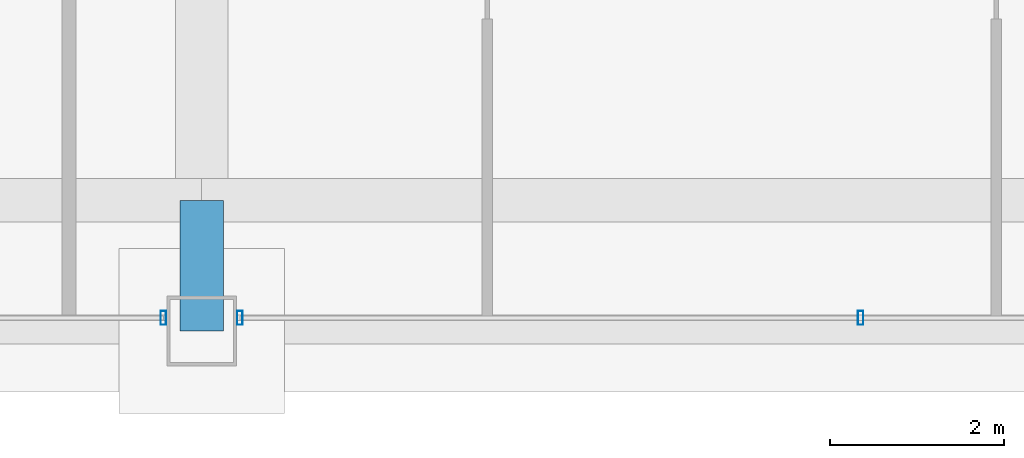
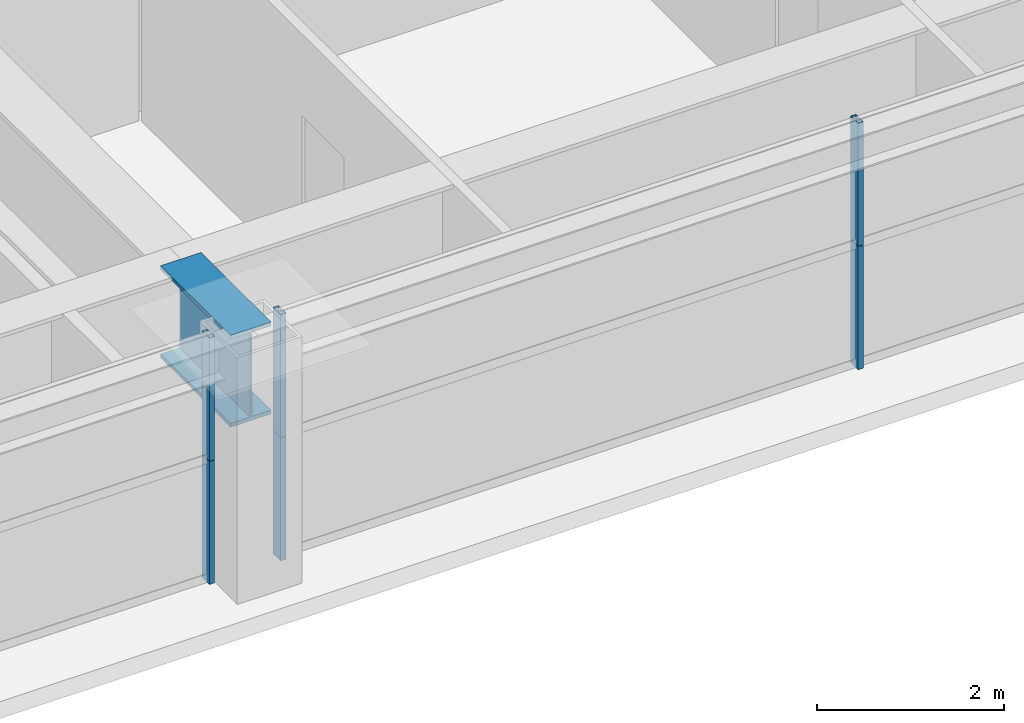
# One storey, part 10 of 39: 6 members, 1 beam, 2 elements without a shape of their own.
"""IFC4 building model written with IfcOpenShell, lengths in metres."""

from ifc_helpers import new_model, si_unit, direction, frame, origin, origin_2d, place, context, subcontext, project, spatial, hollow_rectangle, i_section, extrude, source, transform, mapped, material, layer, layer_set, material_profile, profile_set, type_object, element, aggregate, save


model = new_model("IFC4")

# Units and contexts
model_context = context("Model", 3, precision=1e-05, world=origin(), true_north=direction((0.0, 1.0)))
body_context = subcontext(model_context, "Body", "Model", "MODEL_VIEW")
ifc_project = project(units=[si_unit("LENGTHUNIT", "METRE"), si_unit("AREAUNIT", "SQUARE_METRE"), si_unit("VOLUMEUNIT", "CUBIC_METRE"), si_unit("PLANEANGLEUNIT", "RADIAN"), si_unit("MASSUNIT", "GRAM", prefix="KILO"), si_unit("THERMODYNAMICTEMPERATUREUNIT", "KELVIN"), si_unit("POWERUNIT", "WATT")], contexts=[model_context])

# Site, building, storey
site_placement = place(None, origin())
site = spatial("IfcSite", under=ifc_project, at=site_placement, CompositionType="ELEMENT")
building_placement = place(site_placement, origin())
building = spatial("IfcBuilding", under=site, at=building_placement, Name="Yuzanri Waterfront Tower", CompositionType="ELEMENT")
storey_placement = place(building_placement, frame((0.0, 0.0, 216.0)))
storey = spatial("IfcBuildingStorey", under=building, at=storey_placement, Name="L57", CompositionType="ELEMENT", Elevation=216.0)

# Beam
ifc_material_1 = material(Name="Steel Q420GJC", Category="steel")
ifc_material_profile_1 = material_profile(ifc_material_1, i_section(OverallWidth=0.5, OverallDepth=1.199951171875, WebThickness=0.028076171875, FlangeThickness=0.050048828125, at=origin_2d()), Name="PG 1200x500x28x50")
ifc_profile_set_1 = profile_set([ifc_material_profile_1], Name="Steel Q420GJC")
beam_type = type_object("IfcBeamType", Name="Setback Transfer Girder Q420GJC PG 1200x500", PredefinedType="USERDEFINED", material=ifc_profile_set_1)
shared_shape_1 = source(origin(), body_context, "Body", "SweptSolid", [
    extrude(i_section(OverallWidth=0.5, OverallDepth=1.199951171875, WebThickness=0.028076171875, FlangeThickness=0.050048828125, at=origin_2d()), origin(), (0.0, 0.0, 1.0), 1.5),
])
beam_placement = place(storey_placement, frame((37.0, 5.199951171875, 2.6201171875), z_axis=(0.0, -1.0, 0.0), x_axis=(1.0, 0.0, 0.0)))
element("IfcBeam", 1, at=beam_placement, inside=storey, type_object=beam_type, Name="L57 Setback Step Transfer S2", ObjectType="GIRDER", PredefinedType="USERDEFINED", context=body_context, shape_type="MappedRepresentation", body=[
    mapped(shared_shape_1, transform((0.0, 0.0, 0.0), scale=1.0)),
])

# Curtain wall, members
ifc_material_2 = material(Name="Anodized Architectural Bronze", Category="metal")
ifc_layer = layer(ifc_material_2, 0.159912109375)
ifc_layer_set = layer_set([ifc_layer], Name="Anodized Architectural Bronze")
curtain_wall_type = type_object("IfcCurtainWallType", Name="Anodized Bronze Mid-Rise Residential Acoustic Unitized Curtain Wall 7200", PredefinedType="NOTDEFINED", material=ifc_layer_set)
curtain_wall_1_placement = place(storey_placement, origin())
curtain_wall_1 = element("IfcCurtainWall", 2, at=curtain_wall_1_placement, inside=storey, type_object=curtain_wall_type, Name="L57 Curtain Wall CW-L57-SL", PredefinedType="NOTDEFINED")
ifc_material_3 = material(Name="Anodized Architectural Bronze", Category="metal")
ifc_material_profile_2 = material_profile(ifc_material_3, hollow_rectangle(XDim=0.06494140625, YDim=0.159912109375, WallThickness=0.00341796875, at=origin_2d()), Name="CWM 65x160")
ifc_profile_set_2 = profile_set([ifc_material_profile_2], Name="Anodized Architectural Bronze")
member_type = type_object("IfcMemberType", Name="Anodized Bronze Upper-Zone Curtain-Wall Mullion 65x160", PredefinedType="MULLION", material=ifc_profile_set_2)
shared_shape_2 = source(origin(), body_context, "Body", "SweptSolid", [
    extrude(hollow_rectangle(XDim=0.06494140625, YDim=0.159912109375, WallThickness=0.00341796875, at=origin_2d()), origin(), (0.0, 0.0, 1.0), 1.60791015625),
])
member_1_placement = place(storey_placement, frame((36.56005859375, 3.85009765625, 0.0), z_axis=(0.0, 0.0, 1.0), x_axis=(1.0, 0.0, 0.0)))
member_1 = element("IfcMember", 3, at=member_1_placement, type_object=member_type, Name="CW-L57-SL Lower Mullion 02", PredefinedType="MULLION", context=body_context, shape_type="MappedRepresentation", body=[
    mapped(shared_shape_2, transform((0.0, 0.0, 0.0), scale=1.0)),
])
member_2_placement = place(storey_placement, frame((36.56005859375, 3.85009765625, 1.612060546875), z_axis=(0.0, 0.0, 1.0), x_axis=(1.0, 0.0, 0.0)))
member_2 = element("IfcMember", 4, at=member_2_placement, type_object=member_type, Name="CW-L57-SL Upper Mullion 02", PredefinedType="MULLION", context=body_context, shape_type="MappedRepresentation", body=[
    mapped(shared_shape_2, transform((0.0, 0.0, 0.0), scale=1.0)),
])
aggregate(curtain_wall_1, [member_1, member_2])

curtain_wall_2_placement = place(storey_placement, origin())
curtain_wall_2 = element("IfcCurtainWall", 5, at=curtain_wall_2_placement, inside=storey, type_object=curtain_wall_type, Name="L57 Curtain Wall CW-L57-SR", PredefinedType="NOTDEFINED")
member_3_placement = place(storey_placement, frame((37.43994140625, 3.85009765625, 0.0), z_axis=(0.0, 0.0, 1.0), x_axis=(1.0, 0.0, 0.0)))
member_3 = element("IfcMember", 6, at=member_3_placement, type_object=member_type, Name="CW-L57-SR Lower Mullion 00", PredefinedType="MULLION", context=body_context, shape_type="MappedRepresentation", body=[
    mapped(shared_shape_2, transform((0.0, 0.0, 0.0), scale=1.0)),
])
member_4_placement = place(storey_placement, frame((37.43994140625, 3.85009765625, 1.612060546875), z_axis=(0.0, 0.0, 1.0), x_axis=(1.0, 0.0, 0.0)))
member_4 = element("IfcMember", 7, at=member_4_placement, type_object=member_type, Name="CW-L57-SR Upper Mullion 00", PredefinedType="MULLION", context=body_context, shape_type="MappedRepresentation", body=[
    mapped(shared_shape_2, transform((0.0, 0.0, 0.0), scale=1.0)),
])
member_5_placement = place(storey_placement, frame((44.574951171875, 3.85009765625, 0.0), z_axis=(0.0, 0.0, 1.0), x_axis=(1.0, 0.0, 0.0)))
member_5 = element("IfcMember", 8, at=member_5_placement, type_object=member_type, Name="CW-L57-SR Lower Mullion 01", PredefinedType="MULLION", context=body_context, shape_type="MappedRepresentation", body=[
    mapped(shared_shape_2, transform((0.0, 0.0, 0.0), scale=1.0)),
])
member_6_placement = place(storey_placement, frame((44.574951171875, 3.85009765625, 1.612060546875), z_axis=(0.0, 0.0, 1.0), x_axis=(1.0, 0.0, 0.0)))
member_6 = element("IfcMember", 9, at=member_6_placement, type_object=member_type, Name="CW-L57-SR Upper Mullion 01", PredefinedType="MULLION", context=body_context, shape_type="MappedRepresentation", body=[
    mapped(shared_shape_2, transform((0.0, 0.0, 0.0), scale=1.0)),
])
aggregate(curtain_wall_2, [member_3, member_4, member_5, member_6])

save(model, "model.ifc")
